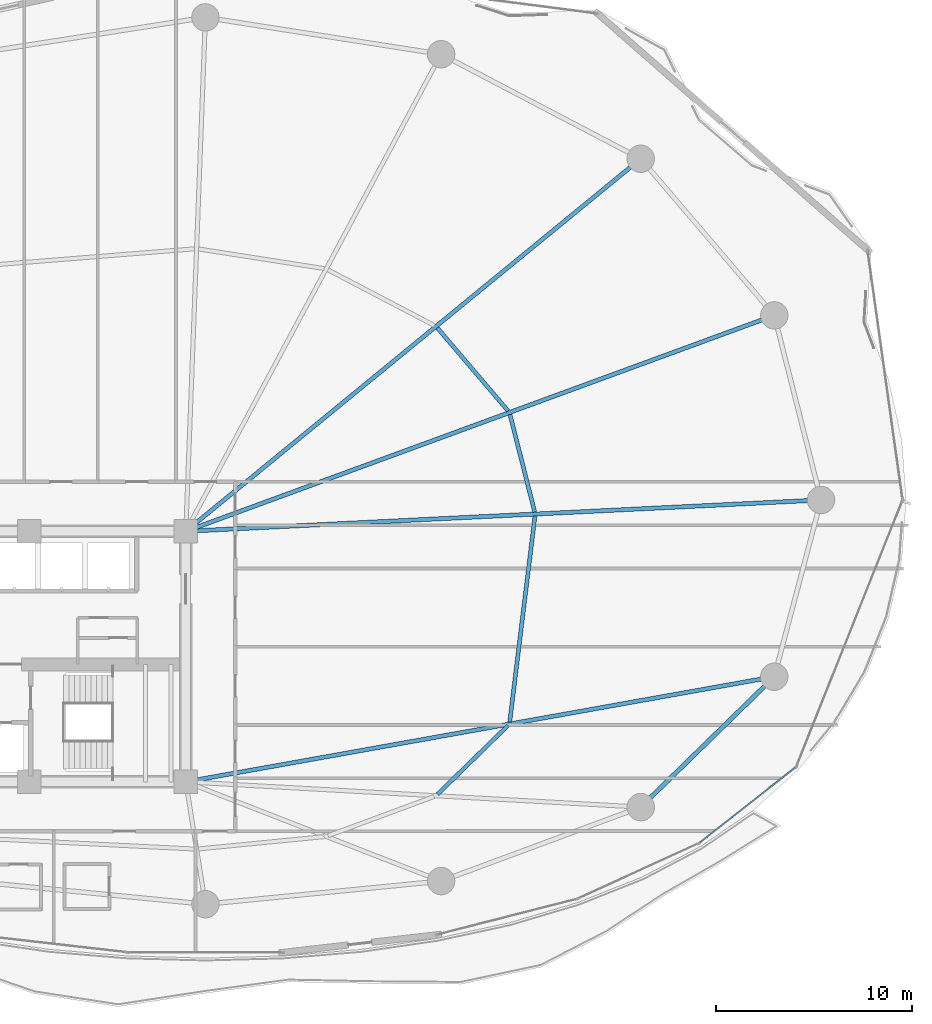
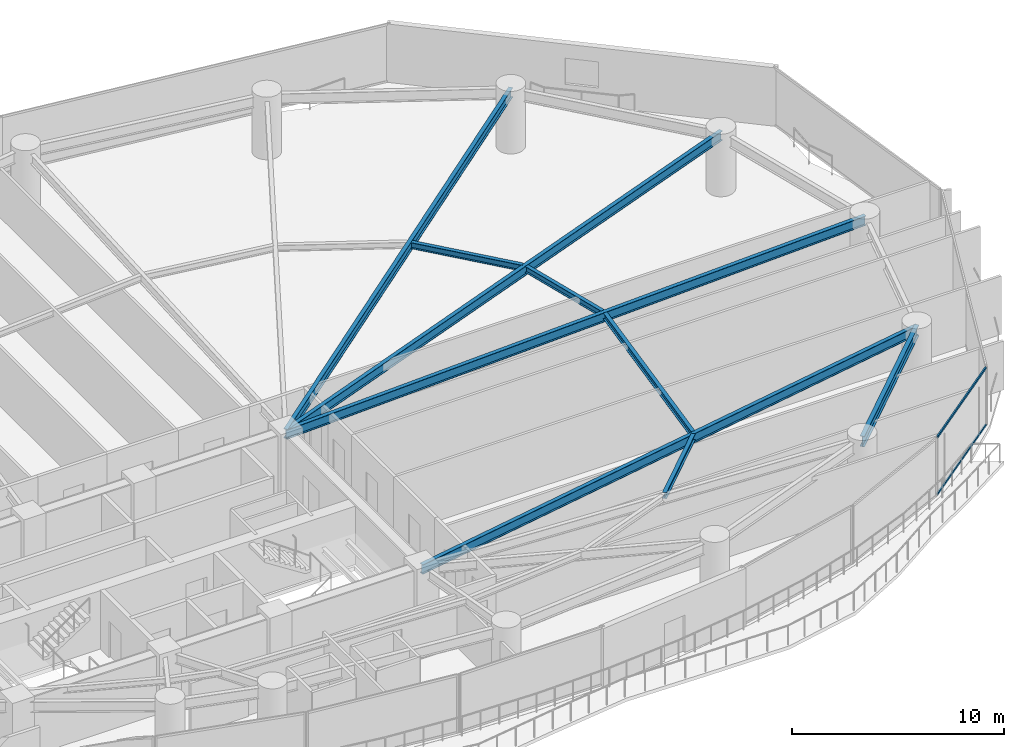
# One storey, part 14 of 32: 9 beams, 2 members, 1 element without a shape of its own.
"""IFC4 building model written with IfcOpenShell, lengths in metres."""

from ifc_helpers import new_model, si_unit, direction, frame, origin, origin_2d, place, context, subcontext, project, spatial, hollow_rectangle, i_section, extrude, material, layer, layer_set, material_profile, profile_set, type_object, element, aggregate, save


model = new_model("IFC4")

# Units and contexts
model_context = context("Model", 3, precision=1e-05, world=origin(), true_north=direction((0.0, 1.0)))
body_context = subcontext(model_context, "Body", "Model", "MODEL_VIEW")
ifc_project = project(units=[si_unit("LENGTHUNIT", "METRE"), si_unit("AREAUNIT", "SQUARE_METRE"), si_unit("VOLUMEUNIT", "CUBIC_METRE"), si_unit("PLANEANGLEUNIT", "RADIAN"), si_unit("MASSUNIT", "GRAM", prefix="KILO")], contexts=[model_context])

# Site, building, storey
site_placement = place(None, origin())
site = spatial("IfcSite", under=ifc_project, at=site_placement, CompositionType="ELEMENT")
building_placement = place(site_placement, origin())
building = spatial("IfcBuilding", under=site, at=building_placement, Name="Kazevale Care Tower and Concert Hall", CompositionType="ELEMENT")
storey_placement = place(building_placement, frame((0.0, 0.0, 42.0)))
storey = spatial("IfcBuildingStorey", under=building, at=storey_placement, Name="L10", CompositionType="ELEMENT", Elevation=42.0)

# Curtain wall, members
ifc_material_1 = material(Name="Aluminium 6063-T6 and Low-E Glass", Category="aluminium")
ifc_layer = layer(ifc_material_1, 0.179931640625)
ifc_layer_set = layer_set([ifc_layer], Name="Aluminium 6063-T6 and Low-E Glass")
curtain_wall_type = type_object("IfcCurtainWallType", Name="Sheltered Concave Balcony Curtain Wall CW-5", PredefinedType="NOTDEFINED", material=ifc_layer_set)
curtain_wall_placement = place(storey_placement, origin())
curtain_wall = element("IfcCurtainWall", 1, at=curtain_wall_placement, inside=storey, type_object=curtain_wall_type, Name="cw:L10:f02", PredefinedType="NOTDEFINED")
ifc_material_2 = material(Name="Aluminium 6063-T6", Category="aluminium")
ifc_material_profile_1 = material_profile(ifc_material_2, hollow_rectangle(XDim=0.074951171875, YDim=0.1201171875, WallThickness=0.00390625, at=origin_2d()), Name="ALU75x120x4")
ifc_profile_set_1 = profile_set([ifc_material_profile_1], Name="Aluminium 6063-T6")
member_type = type_object("IfcMemberType", Name="CW-5 Transom ALU75x120x4", PredefinedType="USERDEFINED", material=ifc_profile_set_1)
member_1_placement = place(storey_placement, frame((75.123046875, 24.317626953125, 0.03759765625), z_axis=(-0.78633897536, -0.617795286344, 0.0), x_axis=(0.617795286344, -0.78633897536, 0.0)))
member_1 = element("IfcMember", 2, at=member_1_placement, type_object=member_type, Name="CW-5 transom 1.1", ObjectType="TRANSOM", PredefinedType="USERDEFINED", context=body_context, shape_type="SweptSolid", body=[
    extrude(hollow_rectangle(XDim=0.074951171875, YDim=0.1201171875, WallThickness=0.00390625, at=origin_2d()), origin(), (0.0, 0.0, 1.0), 6.15771484375),
])
member_2_placement = place(storey_placement, frame((75.123046875, 24.317626953125, 3.322509765625), z_axis=(-0.78633897536, -0.617795286344, 0.0), x_axis=(0.617795286344, -0.78633897536, 0.0)))
member_2 = element("IfcMember", 3, at=member_2_placement, type_object=member_type, Name="CW-5 transom 1.2", ObjectType="TRANSOM", PredefinedType="USERDEFINED", context=body_context, shape_type="SweptSolid", body=[
    extrude(hollow_rectangle(XDim=0.074951171875, YDim=0.1201171875, WallThickness=0.00390625, at=origin_2d()), origin(), (0.0, 0.0, 1.0), 6.15771484375),
])
aggregate(curtain_wall, [member_1, member_2])

# Beams
ifc_material_3 = material(Name="Steel ASTM A572 Gr 50", Category="steel")
ifc_material_profile_2 = material_profile(ifc_material_3, i_section(OverallWidth=0.2119140625, OverallDepth=0.5439453125, WebThickness=0.01318359375, FlangeThickness=0.021240234375, at=origin_2d()), Name="W530x123")
ifc_profile_set_2 = profile_set([ifc_material_profile_2], Name="Steel ASTM A572 Gr 50")
beam_type_1 = type_object("IfcBeamType", Name="Radial Floor Girder W530x123", PredefinedType="BEAM", material=ifc_profile_set_2)
beam_1_placement = place(storey_placement, frame((44.0, 36.39990234375, 3.087890625), z_axis=(0.998786488782, 0.049249871327, 0.0), x_axis=(-0.049249871327, 0.998786488782, 0.0)))
element("IfcBeam", 4, at=beam_1_placement, inside=storey, type_object=beam_type_1, Name="beam:L10:rad:01", PredefinedType="BEAM", context=body_context, shape_type="SweptSolid", body=[
    extrude(i_section(OverallWidth=0.2119140625, OverallDepth=0.5439453125, WebThickness=0.01318359375, FlangeThickness=0.021240234375, at=origin_2d()), origin(), (0.0, 0.0, 1.0), 32.4892578125),
])
beam_2_placement = place(storey_placement, frame((44.0, 36.39990234375, 3.087890625), z_axis=(0.938795458019, 0.34447509054, 0.0), x_axis=(-0.34447509054, 0.938795458019, 0.0)))
element("IfcBeam", 5, at=beam_2_placement, inside=storey, type_object=beam_type_1, Name="beam:L10:rad:02", PredefinedType="BEAM", context=body_context, shape_type="SweptSolid", body=[
    extrude(i_section(OverallWidth=0.2119140625, OverallDepth=0.5439453125, WebThickness=0.01318359375, FlangeThickness=0.021240234375, at=origin_2d()), origin(), (0.0, 0.0, 1.0), 32.019775390625),
])
beam_3_placement = place(storey_placement, frame((44.0, 36.39990234375, 3.087890625), z_axis=(0.773704467398, 0.633546681097, 0.0), x_axis=(-0.633546681097, 0.773704467398, 0.0)))
element("IfcBeam", 6, at=beam_3_placement, inside=storey, type_object=beam_type_1, Name="beam:L10:rad:03", PredefinedType="BEAM", context=body_context, shape_type="SweptSolid", body=[
    extrude(i_section(OverallWidth=0.2119140625, OverallDepth=0.5439453125, WebThickness=0.01318359375, FlangeThickness=0.021240234375, at=origin_2d()), origin(), (0.0, 0.0, 1.0), 30.037353515625),
])
beam_4_placement = place(storey_placement, frame((44.0, 23.60009765625, 3.087890625), z_axis=(0.984416208219, 0.175854283415, 0.0), x_axis=(-0.175854283415, 0.984416208219, 0.0)))
element("IfcBeam", 7, at=beam_4_placement, inside=storey, type_object=beam_type_1, Name="beam:L10:rad:16", PredefinedType="BEAM", context=body_context, shape_type="SweptSolid", body=[
    extrude(i_section(OverallWidth=0.2119140625, OverallDepth=0.5439453125, WebThickness=0.01318359375, FlangeThickness=0.021240234375, at=origin_2d()), origin(), (0.0, 0.0, 1.0), 30.535888671875),
])
ifc_material_profile_3 = material_profile(ifc_material_3, i_section(OverallWidth=0.22900390625, OverallDepth=0.612060546875, WebThickness=0.011962890625, FlangeThickness=0.01953125, at=origin_2d()), Name="W610x125")
ifc_profile_set_3 = profile_set([ifc_material_profile_3], Name="Steel ASTM A572 Gr 50")
beam_type_2 = type_object("IfcBeamType", Name="Ring Spandrel Beam W610x125", PredefinedType="SPANDREL", material=ifc_profile_set_3)
beam_5_placement = place(storey_placement, frame((67.239990234375, 22.31005859375, 3.053955078125), z_axis=(0.715457453508, 0.698656304788, 0.0), x_axis=(-0.698656304788, 0.715457453508, 0.0)))
element("IfcBeam", 8, at=beam_5_placement, inside=storey, type_object=beam_type_2, Name="beam:L10:ring:15", PredefinedType="SPANDREL", context=body_context, shape_type="SweptSolid", body=[
    extrude(i_section(OverallWidth=0.22900390625, OverallDepth=0.612060546875, WebThickness=0.011962890625, FlangeThickness=0.01953125, at=origin_2d()), origin(), (0.0, 0.0, 1.0), 9.532470703125),
])
ifc_material_profile_4 = material_profile(ifc_material_3, i_section(OverallWidth=0.205078125, OverallDepth=0.35400390625, WebThickness=0.009521484375, FlangeThickness=0.016845703125, at=origin_2d()), Name="W360x79")
ifc_profile_set_4 = profile_set([ifc_material_profile_4], Name="Steel ASTM A572 Gr 50")
beam_type_3 = type_object("IfcBeamType", Name="Secondary Floor Joist W360x79", PredefinedType="JOIST", material=ifc_profile_set_4)
beam_6_placement = place(storey_placement, frame((61.822021484375, 37.382080078125, 3.18310546875), z_axis=(-0.24568570229, 0.969349542575, 0.0), x_axis=(-0.969349542575, -0.24568570229, 0.0)))
element("IfcBeam", 9, at=beam_6_placement, inside=storey, type_object=beam_type_3, Name="beam:L10:joist:01", PredefinedType="JOIST", context=body_context, shape_type="SweptSolid", body=[
    extrude(i_section(OverallWidth=0.205078125, OverallDepth=0.35400390625, WebThickness=0.009521484375, FlangeThickness=0.016845703125, at=origin_2d()), origin(), (0.0, 0.0, 1.0), 5.140380859375),
])
beam_7_placement = place(storey_placement, frame((60.465087890625, 42.5458984375, 3.18310546875), z_axis=(-0.648685510477, 0.761056573783, 0.0), x_axis=(-0.761056573783, -0.648685510477, 0.0)))
element("IfcBeam", 10, at=beam_7_placement, inside=storey, type_object=beam_type_3, Name="beam:L10:joist:02", PredefinedType="JOIST", context=body_context, shape_type="SweptSolid", body=[
    extrude(i_section(OverallWidth=0.205078125, OverallDepth=0.35400390625, WebThickness=0.009521484375, FlangeThickness=0.016845703125, at=origin_2d()), origin(), (0.0, 0.0, 1.0), 5.57275390625),
])
beam_8_placement = place(storey_placement, frame((56.85693359375, 22.964111328125, 3.18310546875), z_axis=(0.715521089339, 0.698591132717, 0.0), x_axis=(-0.698591132717, 0.715521089339, 0.0)))
element("IfcBeam", 11, at=beam_8_placement, inside=storey, type_object=beam_type_3, Name="beam:L10:joist:15", PredefinedType="JOIST", context=body_context, shape_type="SweptSolid", body=[
    extrude(i_section(OverallWidth=0.205078125, OverallDepth=0.35400390625, WebThickness=0.009521484375, FlangeThickness=0.016845703125, at=origin_2d()), origin(), (0.0, 0.0, 1.0), 5.03271484375),
])
beam_9_placement = place(storey_placement, frame((60.5458984375, 26.657958984375, 3.18310546875), z_axis=(0.1216468088, 0.992573450133, 0.0), x_axis=(-0.992573450133, 0.1216468088, 0.0)))
element("IfcBeam", 12, at=beam_9_placement, inside=storey, type_object=beam_type_3, Name="beam:L10:joist:16", PredefinedType="JOIST", context=body_context, shape_type="SweptSolid", body=[
    extrude(i_section(OverallWidth=0.205078125, OverallDepth=0.35400390625, WebThickness=0.009521484375, FlangeThickness=0.016845703125, at=origin_2d()), origin(), (0.0, 0.0, 1.0), 10.5966796875),
])

save(model, "model.ifc")
